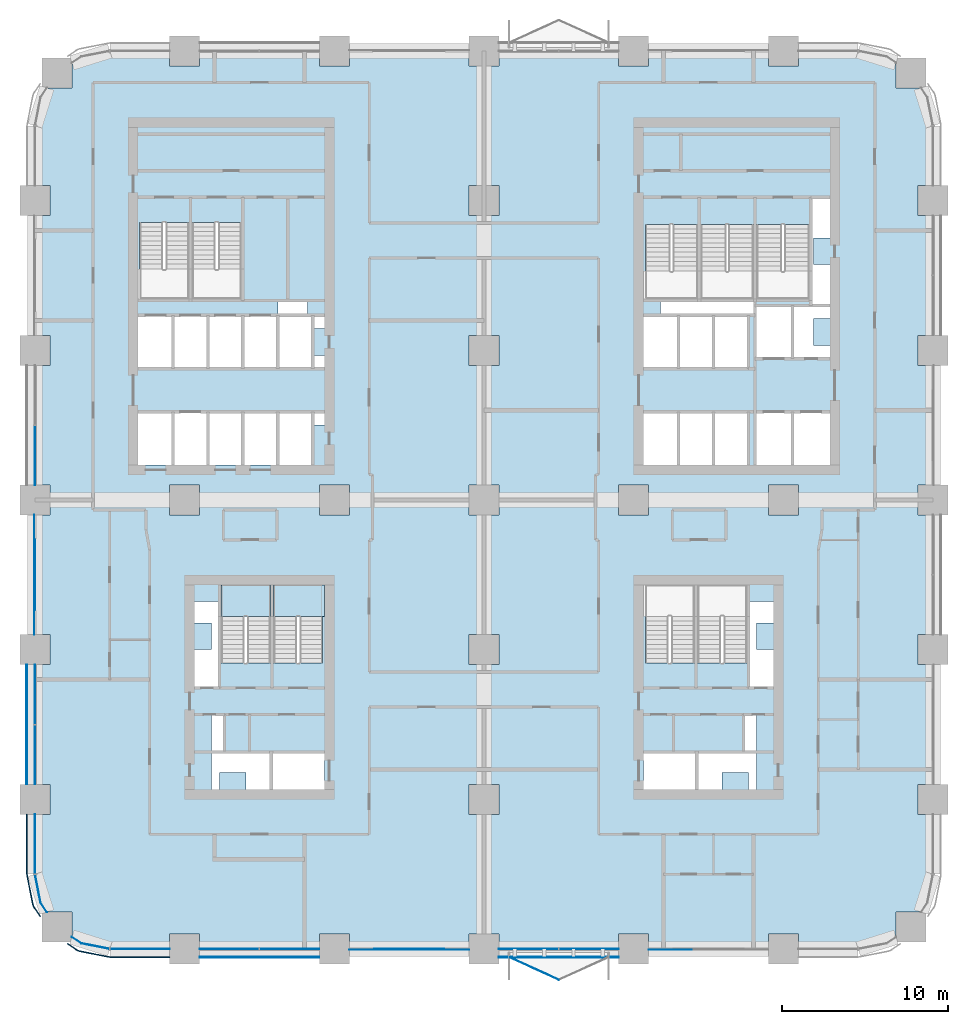
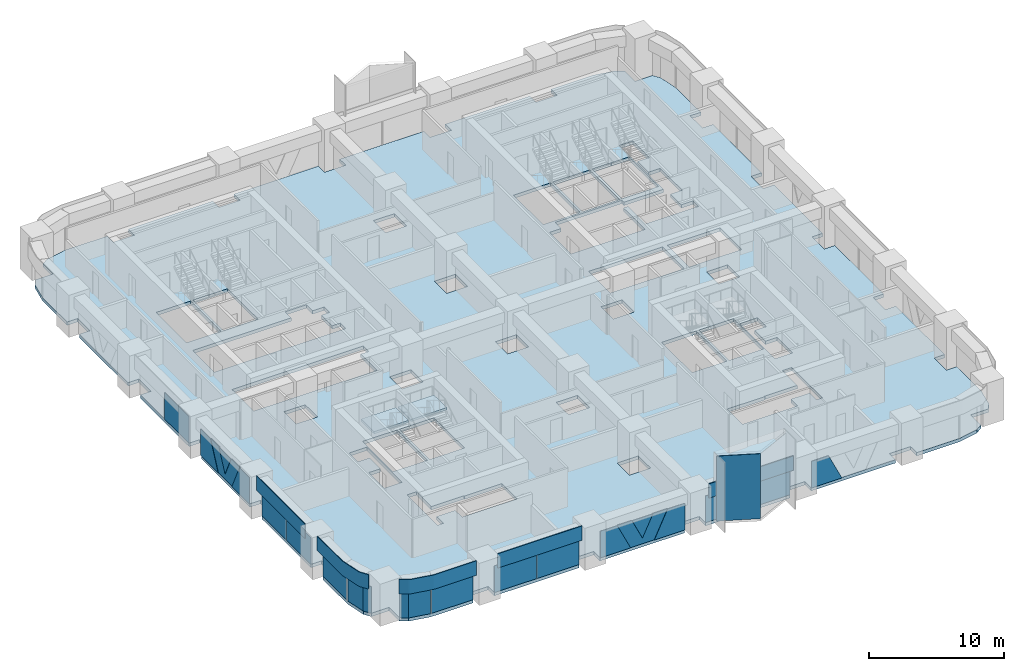
# One storey, part 10 of 22: 26 plates, 3 slabs, 11 elements without a shape of their own.
"""IFC4 building model written with IfcOpenShell, lengths in metres."""

from ifc_helpers import new_model, si_unit, direction, frame, origin, origin_2d, place, context, subcontext, project, spatial, polyline, rectangle, outline, extrude, material, layer, layer_set, type_object, element, aggregate, save


model = new_model("IFC4")

# Units and contexts
model_context = context("Model", 3, precision=1e-05, world=origin(), true_north=direction((0.0, 1.0)))
body_context = subcontext(model_context, "Body", "Model", "MODEL_VIEW")
ifc_project = project(units=[si_unit("LENGTHUNIT", "METRE"), si_unit("AREAUNIT", "SQUARE_METRE"), si_unit("VOLUMEUNIT", "CUBIC_METRE"), si_unit("PLANEANGLEUNIT", "RADIAN"), si_unit("MASSUNIT", "GRAM", prefix="KILO")], contexts=[model_context])

# Site, building, storey
site_placement = place(None, origin())
site = spatial("IfcSite", under=ifc_project, at=site_placement, CompositionType="ELEMENT")
building_placement = place(site_placement, origin())
building = spatial("IfcBuilding", under=site, at=building_placement, Name="Tessera Arch", CompositionType="ELEMENT")
storey_placement = place(building_placement, frame((0.0, 0.0, 53.800048828125)))
storey = spatial("IfcBuildingStorey", under=building, at=storey_placement, Name="L11", CompositionType="ELEMENT", Elevation=53.800048828125)

# Curtain wall, plates
ifc_material_1 = material(Name="CW1 curtain wall")
curtain_wall_type_1 = type_object("IfcCurtainWallType", Name="CW1 curtain wall", PredefinedType="NOTDEFINED", material=ifc_material_1)
curtain_wall_1_placement = place(storey_placement, origin())
curtain_wall_1 = element("IfcCurtainWall", 1, at=curtain_wall_1_placement, inside=storey, type_object=curtain_wall_type_1, Name="CW1 curtain wall S0.0/0 L11", PredefinedType="NOTDEFINED")
ifc_material_2 = material(Name="Clear low-e glass", Category="glass")
ifc_material_3 = material(Name="Clear low-e glass", Category="glass")
ifc_layer_1 = layer(ifc_material_3, 0.028076171875)
ifc_layer_set_1 = layer_set([ifc_layer_1], Name="CW1 glass panel")
plate_type_1 = type_object("IfcPlateType", Name="CW1 glass panel", PredefinedType="CURTAIN_PANEL", material=ifc_layer_set_1)
plate_1_placement = place(storey_placement, frame((11.68505859375, 0.0, 0.0), z_axis=(0.0, 0.0, 1.0), x_axis=(1.0, 0.0, 0.0)))
plate_1 = element("IfcPlate", 2, at=plate_1_placement, type_object=plate_type_1, material=ifc_material_2, Name="CW1 glass panel S0.0/0 1.1.1", PredefinedType="CURTAIN_PANEL", context=body_context, shape_type="SweptSolid", body=[
    extrude(rectangle(XDim=3.570068359375, YDim=0.028076171875, at=origin_2d()), origin(), (0.0, 0.0, 1.0), 2.39990234375),
])
plate_2_placement = place(storey_placement, frame((15.31494140625, 0.0, 0.0), z_axis=(0.0, 0.0, 1.0), x_axis=(1.0, 0.0, 0.0)))
plate_2 = element("IfcPlate", 3, at=plate_2_placement, type_object=plate_type_1, material=ifc_material_2, Name="CW1 glass panel S0.0/0 1.2.1", PredefinedType="CURTAIN_PANEL", context=body_context, shape_type="SweptSolid", body=[
    extrude(rectangle(XDim=3.570068359375, YDim=0.028076171875, at=origin_2d()), origin(), (0.0, 0.0, 1.0), 2.39990234375),
])

curtain_wall_2_placement = place(storey_placement, origin())
curtain_wall_2 = element("IfcCurtainWall", 4, at=curtain_wall_2_placement, inside=storey, type_object=curtain_wall_type_1, Name="CW1 curtain wall S0.0/2 L11", PredefinedType="NOTDEFINED")
plate_3_placement = place(storey_placement, frame((29.68505859375, 0.0, 0.0), z_axis=(0.0, 0.0, 1.0), x_axis=(1.0, 0.0, 0.0)))
plate_3 = element("IfcPlate", 5, at=plate_3_placement, type_object=plate_type_1, material=ifc_material_2, Name="CW1 glass panel S0.0/2 1.1.1", PredefinedType="CURTAIN_PANEL", context=body_context, shape_type="SweptSolid", body=[
    extrude(rectangle(XDim=3.570068359375, YDim=0.028076171875, at=origin_2d()), origin(), (0.0, 0.0, 1.0), 2.39990234375),
])
plate_4_placement = place(storey_placement, frame((33.31494140625, 0.0, 0.0), z_axis=(0.0, 0.0, 1.0), x_axis=(1.0, 0.0, 0.0)))
plate_4 = element("IfcPlate", 6, at=plate_4_placement, type_object=plate_type_1, material=ifc_material_2, Name="CW1 glass panel S0.0/2 1.2.1", PredefinedType="CURTAIN_PANEL", context=body_context, shape_type="SweptSolid", body=[
    extrude(rectangle(XDim=3.570068359375, YDim=0.028076171875, at=origin_2d()), origin(), (0.0, 0.0, 1.0), 2.39990234375),
])

# Curtain wall, plate
curtain_wall_3_placement = place(storey_placement, origin())
curtain_wall_3 = element("IfcCurtainWall", 7, at=curtain_wall_3_placement, inside=storey, type_object=curtain_wall_type_1, Name="CW1 curtain wall W0.0/2 L11", PredefinedType="NOTDEFINED")
plate_5_placement = place(storey_placement, frame((0.0, 29.68505859375, 0.0), z_axis=(0.0, 0.0, 1.0), x_axis=(0.0, -1.0, 0.0)))
plate_5 = element("IfcPlate", 8, at=plate_5_placement, type_object=plate_type_1, material=ifc_material_2, Name="CW1 glass panel W0.0/2 1.2.1", PredefinedType="CURTAIN_PANEL", context=body_context, shape_type="SweptSolid", body=[
    extrude(rectangle(XDim=3.570068359375, YDim=0.028076171875, at=origin_2d()), origin(), (0.0, 0.0, 1.0), 2.39990234375),
])
aggregate(curtain_wall_3, [plate_5])

# Curtain wall, plates
curtain_wall_4_placement = place(storey_placement, origin())
curtain_wall_4 = element("IfcCurtainWall", 9, at=curtain_wall_4_placement, inside=storey, type_object=curtain_wall_type_1, Name="CW1 curtain wall W0.0/4 L11", PredefinedType="NOTDEFINED")
plate_6_placement = place(storey_placement, frame((0.0, 15.31494140625, 0.0), z_axis=(0.0, 0.0, 1.0), x_axis=(0.0, -1.0, 0.0)))
plate_6 = element("IfcPlate", 10, at=plate_6_placement, type_object=plate_type_1, material=ifc_material_2, Name="CW1 glass panel W0.0/4 1.1.1", PredefinedType="CURTAIN_PANEL", context=body_context, shape_type="SweptSolid", body=[
    extrude(rectangle(XDim=3.570068359375, YDim=0.028076171875, at=origin_2d()), origin(), (0.0, 0.0, 1.0), 2.39990234375),
])
plate_7_placement = place(storey_placement, frame((0.0, 11.68505859375, 0.0), z_axis=(0.0, 0.0, 1.0), x_axis=(0.0, -1.0, 0.0)))
plate_7 = element("IfcPlate", 11, at=plate_7_placement, type_object=plate_type_1, material=ifc_material_2, Name="CW1 glass panel W0.0/4 1.2.1", PredefinedType="CURTAIN_PANEL", context=body_context, shape_type="SweptSolid", body=[
    extrude(rectangle(XDim=3.570068359375, YDim=0.028076171875, at=origin_2d()), origin(), (0.0, 0.0, 1.0), 2.39990234375),
])

# Plate
ifc_material_4 = material(Name="Pale anodised aluminium panel", Category="aluminium")
ifc_layer_2 = layer(ifc_material_4, 0.06005859375)
ifc_layer_set_2 = layer_set([ifc_layer_2], Name="CW1 spandrel panel")
plate_type_2 = type_object("IfcPlateType", Name="CW1 spandrel panel", PredefinedType="CURTAIN_PANEL", material=ifc_layer_set_2)
plate_8_placement = place(storey_placement, frame((13.5, -0.47998046875, 2.5), z_axis=(0.0, 0.0, 1.0), x_axis=(1.0, 0.0, 0.0)))
plate_8 = element("IfcPlate", 12, at=plate_8_placement, type_object=plate_type_2, Name="CW1 spandrel panel S0.0/0", PredefinedType="CURTAIN_PANEL", context=body_context, shape_type="SweptSolid", body=[
    extrude(rectangle(XDim=7.199951171875, YDim=0.06005859375, at=origin_2d()), origin(), (0.0, 0.0, 1.0), 1.300048828125),
])

aggregate(curtain_wall_1, [plate_1, plate_2, plate_8])

plate_9_placement = place(storey_placement, frame((31.5, -0.47998046875, 2.5), z_axis=(0.0, 0.0, 1.0), x_axis=(1.0, 0.0, 0.0)))
plate_9 = element("IfcPlate", 13, at=plate_9_placement, type_object=plate_type_2, Name="CW1 spandrel panel S0.0/2", PredefinedType="CURTAIN_PANEL", context=body_context, shape_type="SweptSolid", body=[
    extrude(rectangle(XDim=7.199951171875, YDim=0.06005859375, at=origin_2d()), origin(), (0.0, 0.0, 1.0), 1.300048828125),
])

aggregate(curtain_wall_2, [plate_3, plate_4, plate_9])

plate_10_placement = place(storey_placement, frame((-0.47998046875, 13.5, 2.5), z_axis=(0.0, 0.0, 1.0), x_axis=(0.0, -1.0, 0.0)))
plate_10 = element("IfcPlate", 14, at=plate_10_placement, type_object=plate_type_2, Name="CW1 spandrel panel W0.0/4", PredefinedType="CURTAIN_PANEL", context=body_context, shape_type="SweptSolid", body=[
    extrude(rectangle(XDim=7.199951171875, YDim=0.06005859375, at=origin_2d()), origin(), (0.0, 0.0, 1.0), 1.300048828125),
])

aggregate(curtain_wall_4, [plate_6, plate_7, plate_10])

# Curtain wall, plates
ifc_material_5 = material(Name="CW2 curtain wall")
curtain_wall_type_2 = type_object("IfcCurtainWallType", Name="CW2 curtain wall", PredefinedType="NOTDEFINED", material=ifc_material_5)
curtain_wall_5_placement = place(storey_placement, origin())
curtain_wall_5 = element("IfcCurtainWall", 15, at=curtain_wall_5_placement, inside=storey, type_object=curtain_wall_type_2, Name="CW2 curtain wall W0.0/5 L11", PredefinedType="NOTDEFINED")
ifc_material_6 = material(Name="Clear low-e glass", Category="glass")
ifc_layer_3 = layer(ifc_material_6, 0.028076171875)
ifc_layer_set_3 = layer_set([ifc_layer_3], Name="CW2 glass panel")
plate_type_3 = type_object("IfcPlateType", Name="CW2 glass panel", PredefinedType="CURTAIN_PANEL", material=ifc_layer_set_3)
plate_11_placement = place(storey_placement, frame((0.0, 6.320068359375, 0.0), z_axis=(0.0, 0.0, 1.0), x_axis=(0.0, -1.0, 0.0)))
plate_11 = element("IfcPlate", 16, at=plate_11_placement, type_object=plate_type_3, material=ifc_material_2, Name="CW2 glass panel W0.0/5 1.1", PredefinedType="CURTAIN_PANEL", context=body_context, shape_type="SweptSolid", body=[
    extrude(rectangle(XDim=3.56005859375, YDim=0.028076171875, at=origin_2d()), origin(), (0.0, 0.0, 1.0), 2.39990234375),
])
plate_12_placement = place(storey_placement, origin())
plate_12 = element("IfcPlate", 17, at=plate_12_placement, type_object=plate_type_3, material=ifc_material_2, Name="CW2 curved glass panel W0.0/5 2.1", PredefinedType="CURTAIN_PANEL", context=body_context, shape_type="SweptSolid", body=[
    extrude(outline(polyline([(0.355712890625, 2.783447265625), (0.021484375, 4.46337890625), (-0.005859375, 4.4580078125), (0.329345703125, 2.7724609375), (0.705078125, 2.210205078125), (0.728271484375, 2.225830078125), (0.355712890625, 2.783447265625)])), origin(), (0.0, 0.0, 1.0), 2.39990234375),
])

curtain_wall_6_placement = place(storey_placement, origin())
curtain_wall_6 = element("IfcCurtainWall", 18, at=curtain_wall_6_placement, inside=storey, type_object=curtain_wall_type_2, Name="CW2 curtain wall S0.0/5 L11", PredefinedType="NOTDEFINED")
plate_13_placement = place(storey_placement, frame((6.320068359375, 0.0, 0.0), z_axis=(0.0, 0.0, 1.0), x_axis=(1.0, 0.0, 0.0)))
plate_13 = element("IfcPlate", 19, at=plate_13_placement, type_object=plate_type_3, material=ifc_material_2, Name="CW2 glass panel S0.0/5 1.1", PredefinedType="CURTAIN_PANEL", context=body_context, shape_type="SweptSolid", body=[
    extrude(rectangle(XDim=3.56005859375, YDim=0.028076171875, at=origin_2d()), origin(), (0.0, 0.0, 1.0), 2.39990234375),
])
plate_14_placement = place(storey_placement, origin())
plate_14 = element("IfcPlate", 20, at=plate_14_placement, type_object=plate_type_3, material=ifc_material_2, Name="CW2 curved glass panel S0.0/5 2.1", PredefinedType="CURTAIN_PANEL", context=body_context, shape_type="SweptSolid", body=[
    extrude(outline(polyline([(2.783447265625, 0.355712890625), (2.225830078125, 0.728271484375), (2.210205078125, 0.705078125), (2.7724609375, 0.329345703125), (4.4580078125, -0.005859375), (4.46337890625, 0.021484375), (2.783447265625, 0.355712890625)])), origin(), (0.0, 0.0, 1.0), 2.39990234375),
])

# Plate
ifc_material_7 = material(Name="Pale anodised aluminium panel", Category="aluminium")
ifc_layer_4 = layer(ifc_material_7, 0.06005859375)
ifc_layer_set_4 = layer_set([ifc_layer_4], Name="CW2 spandrel panel")
plate_type_4 = type_object("IfcPlateType", Name="CW2 spandrel panel", PredefinedType="CURTAIN_PANEL", material=ifc_layer_set_4)
plate_15_placement = place(storey_placement, frame((0.0, 0.0, 2.5)))
plate_15 = element("IfcPlate", 21, at=plate_15_placement, type_object=plate_type_4, Name="CW2 spandrel panel W0.0/5", PredefinedType="CURTAIN_PANEL", context=body_context, shape_type="SweptSolid", body=[
    extrude(outline(polyline([(-0.449951171875, 4.500732421875), (-0.449951171875, 8.10009765625), (-0.510009765625, 8.10009765625), (-0.510009765625, 4.499267578125), (-0.507568359375, 4.449951171875), (-0.500244140625, 4.401123046875), (-0.157470703125, 2.677734375), (-0.1455078125, 2.6298828125), (-0.128662109375, 2.582763671875), (-0.107177734375, 2.537353515625), (-0.08203125, 2.4951171875), (0.292724609375, 1.9345703125), (0.342529296875, 1.968017578125), (-0.03125, 2.52734375), (-0.05419921875, 2.565673828125), (-0.0732421875, 2.605712890625), (-0.088134765625, 2.647216796875), (-0.09912109375, 2.69091796875), (-0.441162109375, 4.411376953125), (-0.44775390625, 4.455810546875), (-0.449951171875, 4.500732421875)])), origin(), (0.0, 0.0, 1.0), 1.300048828125),
])

aggregate(curtain_wall_5, [plate_11, plate_12, plate_15])

plate_16_placement = place(storey_placement, frame((0.0, 0.0, 2.5)))
plate_16 = element("IfcPlate", 22, at=plate_16_placement, type_object=plate_type_4, Name="CW2 spandrel panel S0.0/5", PredefinedType="CURTAIN_PANEL", context=body_context, shape_type="SweptSolid", body=[
    extrude(outline(polyline([(2.52734375, -0.03125), (1.968017578125, 0.342529296875), (1.9345703125, 0.292724609375), (2.4951171875, -0.08203125), (2.537353515625, -0.107177734375), (2.582763671875, -0.128662109375), (2.6298828125, -0.1455078125), (2.677734375, -0.157470703125), (4.401123046875, -0.500244140625), (4.449951171875, -0.507568359375), (4.499267578125, -0.510009765625), (8.10009765625, -0.510009765625), (8.10009765625, -0.449951171875), (4.500732421875, -0.449951171875), (4.455810546875, -0.44775390625), (4.411376953125, -0.441162109375), (2.69091796875, -0.09912109375), (2.647216796875, -0.088134765625), (2.605712890625, -0.0732421875), (2.565673828125, -0.05419921875), (2.52734375, -0.03125)])), origin(), (0.0, 0.0, 1.0), 1.300048828125),
])

aggregate(curtain_wall_6, [plate_13, plate_14, plate_16])

# Curtain wall, plate
ifc_material_8 = material(Name="CW3 curtain wall")
curtain_wall_type_3 = type_object("IfcCurtainWallType", Name="CW3 curtain wall", PredefinedType="NOTDEFINED", material=ifc_material_8)
curtain_wall_7_placement = place(storey_placement, origin())
curtain_wall_7 = element("IfcCurtainWall", 23, at=curtain_wall_7_placement, inside=storey, type_object=curtain_wall_type_3, Name="CW3 curtain wall S0.0/1 L11", PredefinedType="NOTDEFINED")
ifc_material_9 = material(Name="Pale anodised aluminium panel", Category="aluminium")
ifc_layer_5 = layer(ifc_material_9, 0.06005859375)
ifc_layer_set_5 = layer_set([ifc_layer_5], Name="CW3 diagonal panel")
plate_type_5 = type_object("IfcPlateType", Name="CW3 diagonal panel", PredefinedType="CURTAIN_PANEL", material=ifc_layer_set_5)
plate_17_placement = place(storey_placement, frame((24.644287109375, -0.030029296875, 2.39990234375), z_axis=(0.0, -1.0, 0.0), x_axis=(-1.0, 0.0, 0.0)))
plate_17 = element("IfcPlate", 24, at=plate_17_placement, type_object=plate_type_5, Name="CW3 diagonal panel S0.0/1 1", PredefinedType="CURTAIN_PANEL", context=body_context, shape_type="SweptSolid", body=[
    extrude(outline(polyline([(0.0, 0.0), (1.257080078125, 0.0), (2.144287109375, 1.873046875), (3.031494140625, 0.0), (4.28857421875, 0.0), (3.15185546875, 2.39990234375), (1.13671875, 2.39990234375), (0.0, 0.0)])), origin(), (0.0, 0.0, -1.0), 0.06005859375),
])

curtain_wall_8_placement = place(storey_placement, origin())
curtain_wall_8 = element("IfcCurtainWall", 25, at=curtain_wall_8_placement, inside=storey, type_object=curtain_wall_type_3, Name="CW3 curtain wall W0.0/3 L11", PredefinedType="NOTDEFINED")
plate_18_placement = place(storey_placement, frame((-0.030029296875, 20.355712890625, 2.39990234375), z_axis=(-1.0, 0.0, 0.0), x_axis=(0.0, 1.0, 0.0)))
plate_18 = element("IfcPlate", 26, at=plate_18_placement, type_object=plate_type_5, Name="CW3 diagonal panel W0.0/3 1", PredefinedType="CURTAIN_PANEL", context=body_context, shape_type="SweptSolid", body=[
    extrude(outline(polyline([(0.0, 0.0), (1.257080078125, 0.0), (2.144287109375, 1.873046875), (3.031494140625, 0.0), (4.28857421875, 0.0), (3.15185546875, 2.39990234375), (1.13671875, 2.39990234375), (0.0, 0.0)])), origin(), (0.0, 0.0, -1.0), 0.06005859375),
])

# Plate
ifc_material_10 = material(Name="Clear low-e glass", Category="glass")
ifc_layer_6 = layer(ifc_material_10, 0.028076171875)
ifc_layer_set_6 = layer_set([ifc_layer_6], Name="CW3 glass panel")
plate_type_6 = type_object("IfcPlateType", Name="CW3 glass panel", PredefinedType="CURTAIN_PANEL", material=ifc_layer_set_6)
plate_19_placement = place(storey_placement, frame((18.89990234375, -0.05810546875, 0.0), z_axis=(0.0, -1.0, 0.0), x_axis=(1.0, 0.0, 0.0)))
plate_19 = element("IfcPlate", 27, at=plate_19_placement, type_object=plate_type_6, material=ifc_material_2, Name="CW3 triangulated glass panel S0.0/1 1", PredefinedType="CURTAIN_PANEL", context=body_context, shape_type="SweptSolid", body=[
    extrude(outline(polyline([(0.0, 0.0), (2.592529296875, 0.0), (1.455810546875, 2.39990234375), (0.0, 2.39990234375), (0.0, 0.0)])), origin(), (0.0, 0.0, -1.0), 0.028076171875),
])

plate_20_placement = place(storey_placement, frame((23.38720703125, -0.05810546875, 2.39990234375), z_axis=(0.0, -1.0, 0.0), x_axis=(-1.0, 0.0, 0.0)))
plate_20 = element("IfcPlate", 28, at=plate_20_placement, type_object=plate_type_6, material=ifc_material_2, Name="CW3 triangulated glass panel S0.0/1 2", PredefinedType="CURTAIN_PANEL", context=body_context, shape_type="SweptSolid", body=[
    extrude(outline(polyline([(0.0, 0.0), (1.7744140625, 0.0), (0.88720703125, 1.873046875), (0.0, 0.0)])), origin(), (0.0, 0.0, -1.0), 0.028076171875),
])

plate_21_placement = place(storey_placement, frame((26.10009765625, -0.05810546875, 2.39990234375), z_axis=(0.0, -1.0, 0.0), x_axis=(-1.0, 0.0, 0.0)))
plate_21 = element("IfcPlate", 29, at=plate_21_placement, type_object=plate_type_6, material=ifc_material_2, Name="CW3 triangulated glass panel S0.0/1 3", PredefinedType="CURTAIN_PANEL", context=body_context, shape_type="SweptSolid", body=[
    extrude(outline(polyline([(0.0, 0.0), (1.455810546875, 0.0), (2.592529296875, 2.39990234375), (0.0, 2.39990234375), (0.0, 0.0)])), origin(), (0.0, 0.0, -1.0), 0.028076171875),
])

aggregate(curtain_wall_7, [plate_19, plate_20, plate_21, plate_17])

# Curtain wall, plate
curtain_wall_9_placement = place(storey_placement, origin())
curtain_wall_9 = element("IfcCurtainWall", 30, at=curtain_wall_9_placement, inside=storey, type_object=curtain_wall_type_3, Name="CW3 curtain wall S0.0/3 L11", PredefinedType="NOTDEFINED")
plate_22_placement = place(storey_placement, frame((36.89990234375, -0.05810546875, 0.0), z_axis=(0.0, -1.0, 0.0), x_axis=(1.0, 0.0, 0.0)))
plate_22 = element("IfcPlate", 31, at=plate_22_placement, type_object=plate_type_6, material=ifc_material_2, Name="CW3 triangulated glass panel S0.0/3 1", PredefinedType="CURTAIN_PANEL", context=body_context, shape_type="SweptSolid", body=[
    extrude(outline(polyline([(0.0, 0.0), (2.592529296875, 0.0), (1.455810546875, 2.39990234375), (0.0, 2.39990234375), (0.0, 0.0)])), origin(), (0.0, 0.0, -1.0), 0.028076171875),
])
aggregate(curtain_wall_9, [plate_22])

# Plate
plate_23_placement = place(storey_placement, frame((-0.05810546875, 26.10009765625, 0.0), z_axis=(-1.0, 0.0, 0.0), x_axis=(0.0, -1.0, 0.0)))
plate_23 = element("IfcPlate", 32, at=plate_23_placement, type_object=plate_type_6, material=ifc_material_2, Name="CW3 triangulated glass panel W0.0/3 1", PredefinedType="CURTAIN_PANEL", context=body_context, shape_type="SweptSolid", body=[
    extrude(outline(polyline([(0.0, 0.0), (2.592529296875, 0.0), (1.455810546875, 2.39990234375), (0.0, 2.39990234375), (0.0, 0.0)])), origin(), (0.0, 0.0, -1.0), 0.028076171875),
])

plate_24_placement = place(storey_placement, frame((-0.05810546875, 21.61279296875, 2.39990234375), z_axis=(-1.0, 0.0, 0.0), x_axis=(0.0, 1.0, 0.0)))
plate_24 = element("IfcPlate", 33, at=plate_24_placement, type_object=plate_type_6, material=ifc_material_2, Name="CW3 triangulated glass panel W0.0/3 2", PredefinedType="CURTAIN_PANEL", context=body_context, shape_type="SweptSolid", body=[
    extrude(outline(polyline([(0.0, 0.0), (1.7744140625, 0.0), (0.88720703125, 1.873046875), (0.0, 0.0)])), origin(), (0.0, 0.0, -1.0), 0.028076171875),
])

plate_25_placement = place(storey_placement, frame((-0.05810546875, 18.89990234375, 2.39990234375), z_axis=(-1.0, 0.0, 0.0), x_axis=(0.0, 1.0, 0.0)))
plate_25 = element("IfcPlate", 34, at=plate_25_placement, type_object=plate_type_6, material=ifc_material_2, Name="CW3 triangulated glass panel W0.0/3 3", PredefinedType="CURTAIN_PANEL", context=body_context, shape_type="SweptSolid", body=[
    extrude(outline(polyline([(0.0, 0.0), (1.455810546875, 0.0), (2.592529296875, 2.39990234375), (0.0, 2.39990234375), (0.0, 0.0)])), origin(), (0.0, 0.0, -1.0), 0.028076171875),
])

aggregate(curtain_wall_8, [plate_23, plate_24, plate_25, plate_18])

# Slab
ifc_material_11 = material(Name="Concrete C40/50", Category="concrete")
ifc_layer_7 = layer(ifc_material_11, 0.300048828125)
ifc_layer_set_7 = layer_set([ifc_layer_7], Name="Floor slab 300 Concrete C40/50")
slab_type_1 = type_object("IfcSlabType", Name="Floor slab 300 Concrete C40/50", PredefinedType="FLOOR", material=ifc_layer_set_7)
slab_1_placement = place(storey_placement, frame((0.0, 0.0, -0.300048828125)))
element("IfcSlab", 35, at=slab_1_placement, inside=storey, type_object=slab_type_1, Name="Floor slab L11 1", PredefinedType="FLOOR", context=body_context, shape_type="SweptSolid", body=[
    extrude(outline(polyline([(4.5, 0.0), (2.77783203125, 0.342529296875), (2.218017578125, 0.716552734375), (2.218017578125, 2.218017578125), (0.716552734375, 2.218017578125), (0.342529296875, 2.77783203125), (0.0, 4.5), (0.0, 8.10009765625), (0.89990234375, 8.10009765625), (0.89990234375, 9.89990234375), (0.0, 9.89990234375), (0.0, 17.10009765625), (0.89990234375, 17.10009765625), (0.89990234375, 18.89990234375), (0.0, 18.89990234375), (0.0, 26.10009765625), (0.89990234375, 26.10009765625), (0.89990234375, 27.89990234375), (0.0, 27.89990234375), (0.0, 35.10009765625), (0.89990234375, 35.10009765625), (0.89990234375, 36.89990234375), (0.0, 36.89990234375), (0.0, 44.10009765625), (0.89990234375, 44.10009765625), (0.89990234375, 45.89990234375), (0.0, 45.89990234375), (0.0, 49.5), (0.342529296875, 51.22216796875), (0.716552734375, 51.781982421875), (2.218017578125, 51.781982421875), (2.218017578125, 53.283447265625), (2.77783203125, 53.657470703125), (4.5, 54.0), (8.10009765625, 54.0), (8.10009765625, 53.10009765625), (9.89990234375, 53.10009765625), (9.89990234375, 54.0), (17.10009765625, 54.0), (17.10009765625, 53.10009765625), (18.89990234375, 53.10009765625), (18.89990234375, 54.0), (26.10009765625, 54.0), (26.10009765625, 53.10009765625), (27.89990234375, 53.10009765625), (27.89990234375, 54.0), (35.10009765625, 54.0), (35.10009765625, 53.10009765625), (36.89990234375, 53.10009765625), (36.89990234375, 54.0), (44.10009765625, 54.0), (44.10009765625, 53.10009765625), (45.89990234375, 53.10009765625), (45.89990234375, 54.0), (49.5, 54.0), (51.22216796875, 53.657470703125), (51.781982421875, 53.283447265625), (51.781982421875, 51.781982421875), (53.283447265625, 51.781982421875), (53.657470703125, 51.22216796875), (54.0, 49.5), (54.0, 45.89990234375), (53.10009765625, 45.89990234375), (53.10009765625, 44.10009765625), (54.0, 44.10009765625), (54.0, 36.89990234375), (53.10009765625, 36.89990234375), (53.10009765625, 35.10009765625), (54.0, 35.10009765625), (54.0, 27.89990234375), (53.10009765625, 27.89990234375), (53.10009765625, 26.10009765625), (54.0, 26.10009765625), (54.0, 18.89990234375), (53.10009765625, 18.89990234375), (53.10009765625, 17.10009765625), (54.0, 17.10009765625), (54.0, 9.89990234375), (53.10009765625, 9.89990234375), (53.10009765625, 8.10009765625), (54.0, 8.10009765625), (54.0, 4.5), (53.657470703125, 2.77783203125), (53.283447265625, 2.218017578125), (51.781982421875, 2.218017578125), (51.781982421875, 0.716552734375), (51.22216796875, 0.342529296875), (49.5, 0.0), (45.89990234375, 0.0), (45.89990234375, 0.89990234375), (44.10009765625, 0.89990234375), (44.10009765625, 0.0), (36.89990234375, 0.0), (36.89990234375, 0.89990234375), (35.10009765625, 0.89990234375), (35.10009765625, 0.0), (27.89990234375, 0.0), (27.89990234375, 0.89990234375), (26.10009765625, 0.89990234375), (26.10009765625, 0.0), (18.89990234375, 0.0), (18.89990234375, 0.89990234375), (17.10009765625, 0.89990234375), (17.10009765625, 0.0), (9.89990234375, 0.0), (9.89990234375, 0.89990234375), (8.10009765625, 0.89990234375), (8.10009765625, 0.0), (4.5, 0.0)]), holes=[polyline([(11.10009765625, 9.60009765625), (11.10009765625, 10.60009765625), (12.699951171875, 10.60009765625), (12.699951171875, 9.60009765625), (14.199951171875, 9.60009765625), (17.39990234375, 9.60009765625), (17.39990234375, 11.85009765625), (14.199951171875, 11.85009765625), (14.199951171875, 11.89990234375), (11.39990234375, 11.89990234375), (11.39990234375, 14.10009765625), (10.60009765625, 14.10009765625), (10.60009765625, 11.89990234375), (10.60009765625, 9.60009765625), (11.10009765625, 9.60009765625)]), polyline([(9.60009765625, 19.60009765625), (10.60009765625, 19.60009765625), (10.60009765625, 18.0), (9.60009765625, 18.0), (9.60009765625, 15.699951171875), (11.10009765625, 15.699951171875), (11.10009765625, 20.89990234375), (9.60009765625, 20.89990234375), (9.60009765625, 19.60009765625)]), polyline([(12.60009765625, 17.2099609375), (12.60009765625, 17.199951171875), (12.75, 17.199951171875), (12.75, 17.2099609375), (14.14990234375, 17.2099609375), (14.14990234375, 21.699951171875), (11.199951171875, 21.699951171875), (11.199951171875, 17.2099609375), (12.60009765625, 17.2099609375)]), polyline([(8.10009765625, 26.10009765625), (9.89990234375, 26.10009765625), (9.89990234375, 27.89990234375), (8.10009765625, 27.89990234375), (8.10009765625, 26.10009765625)]), polyline([(12.5, 29.10009765625), (14.60009765625, 29.10009765625), (16.699951171875, 29.10009765625), (16.699951171875, 31.5), (17.39990234375, 31.5), (17.39990234375, 32.300048828125), (16.699951171875, 32.300048828125), (14.60009765625, 32.300048828125), (12.5, 32.300048828125), (10.39990234375, 32.300048828125), (8.300048828125, 32.300048828125), (6.199951171875, 32.300048828125), (6.199951171875, 29.10009765625), (8.300048828125, 29.10009765625), (10.39990234375, 29.10009765625), (12.5, 29.10009765625)]), polyline([(10.39990234375, 38.10009765625), (8.300048828125, 38.10009765625), (6.199951171875, 38.10009765625), (6.199951171875, 34.89990234375), (8.300048828125, 34.89990234375), (10.39990234375, 34.89990234375), (12.5, 34.89990234375), (14.60009765625, 34.89990234375), (16.699951171875, 34.89990234375), (17.39990234375, 34.89990234375), (17.39990234375, 35.699951171875), (16.699951171875, 35.699951171875), (16.699951171875, 37.300048828125), (17.39990234375, 37.300048828125), (17.39990234375, 38.10009765625), (16.699951171875, 38.10009765625), (16.39990234375, 38.10009765625), (16.39990234375, 39.0), (14.60009765625, 39.0), (14.60009765625, 38.10009765625), (12.5, 38.10009765625), (10.39990234375, 38.10009765625)]), polyline([(11.0, 43.699951171875), (10.85009765625, 43.699951171875), (10.85009765625, 43.68994140625), (9.449951171875, 43.68994140625), (9.449951171875, 39.199951171875), (12.39990234375, 39.199951171875), (12.39990234375, 43.68994140625), (11.0, 43.68994140625), (11.0, 43.699951171875)]), polyline([(7.85009765625, 43.699951171875), (7.699951171875, 43.699951171875), (7.699951171875, 43.68994140625), (6.300048828125, 43.68994140625), (6.300048828125, 39.199951171875), (9.25, 39.199951171875), (9.25, 43.68994140625), (7.85009765625, 43.68994140625), (7.85009765625, 43.699951171875)]), polyline([(26.10009765625, 8.10009765625), (27.89990234375, 8.10009765625), (27.89990234375, 9.89990234375), (26.10009765625, 9.89990234375), (26.10009765625, 8.10009765625)]), polyline([(39.800048828125, 9.60009765625), (41.300048828125, 9.60009765625), (41.300048828125, 10.60009765625), (42.89990234375, 10.60009765625), (42.89990234375, 9.60009765625), (43.39990234375, 9.60009765625), (43.39990234375, 11.89990234375), (43.39990234375, 14.10009765625), (42.60009765625, 14.10009765625), (42.60009765625, 11.89990234375), (39.800048828125, 11.89990234375), (39.800048828125, 11.85009765625), (36.60009765625, 11.85009765625), (36.60009765625, 9.60009765625), (39.800048828125, 9.60009765625)]), polyline([(26.10009765625, 18.89990234375), (26.10009765625, 17.10009765625), (27.89990234375, 17.10009765625), (27.89990234375, 18.89990234375), (26.10009765625, 18.89990234375)]), polyline([(15.75, 17.199951171875), (15.89990234375, 17.199951171875), (15.89990234375, 17.2099609375), (17.300048828125, 17.2099609375), (17.300048828125, 21.699951171875), (14.35009765625, 21.699951171875), (14.35009765625, 17.2099609375), (15.75, 17.2099609375), (15.75, 17.199951171875)]), polyline([(38.10009765625, 17.199951171875), (38.25, 17.199951171875), (38.25, 17.2099609375), (39.64990234375, 17.2099609375), (39.64990234375, 21.699951171875), (36.699951171875, 21.699951171875), (36.699951171875, 17.2099609375), (38.10009765625, 17.2099609375), (38.10009765625, 17.199951171875)]), polyline([(17.10009765625, 26.10009765625), (18.89990234375, 26.10009765625), (18.89990234375, 27.89990234375), (17.10009765625, 27.89990234375), (17.10009765625, 26.10009765625)]), polyline([(26.10009765625, 27.89990234375), (26.10009765625, 26.10009765625), (27.89990234375, 26.10009765625), (27.89990234375, 27.89990234375), (26.10009765625, 27.89990234375)]), polyline([(35.10009765625, 27.89990234375), (35.10009765625, 26.10009765625), (36.89990234375, 26.10009765625), (36.89990234375, 27.89990234375), (35.10009765625, 27.89990234375)]), polyline([(36.60009765625, 32.300048828125), (36.60009765625, 29.10009765625), (38.699951171875, 29.10009765625), (40.800048828125, 29.10009765625), (42.89990234375, 29.10009765625), (42.89990234375, 32.300048828125), (40.800048828125, 32.300048828125), (38.699951171875, 32.300048828125), (36.60009765625, 32.300048828125)]), polyline([(26.10009765625, 35.10009765625), (27.89990234375, 35.10009765625), (27.89990234375, 36.89990234375), (26.10009765625, 36.89990234375), (26.10009765625, 35.10009765625)]), polyline([(38.699951171875, 34.89990234375), (40.800048828125, 34.89990234375), (42.89990234375, 34.89990234375), (42.89990234375, 38.10009765625), (43.300048828125, 38.10009765625), (43.300048828125, 35.5), (45.550048828125, 35.5), (47.800048828125, 35.5), (47.800048828125, 36.300048828125), (46.800048828125, 36.300048828125), (46.800048828125, 37.89990234375), (47.800048828125, 37.89990234375), (47.800048828125, 38.699951171875), (47.800048828125, 41.14990234375), (46.800048828125, 41.14990234375), (46.800048828125, 42.75), (47.800048828125, 42.75), (47.800048828125, 45.199951171875), (46.64990234375, 45.199951171875), (46.64990234375, 38.699951171875), (45.550048828125, 38.699951171875), (43.300048828125, 38.699951171875), (43.300048828125, 39.0), (37.60009765625, 39.0), (37.60009765625, 38.10009765625), (36.60009765625, 38.10009765625), (36.60009765625, 34.89990234375), (38.699951171875, 34.89990234375)]), polyline([(38.330078125, 43.580078125), (38.219970703125, 43.580078125), (38.219970703125, 43.570068359375), (36.699951171875, 43.570068359375), (36.699951171875, 39.199951171875), (39.85009765625, 39.199951171875), (39.85009765625, 43.570068359375), (38.330078125, 43.570068359375), (38.330078125, 43.580078125)]), polyline([(26.10009765625, 44.10009765625), (27.89990234375, 44.10009765625), (27.89990234375, 45.89990234375), (26.10009765625, 45.89990234375), (26.10009765625, 44.10009765625)]), polyline([(42.89990234375, 15.699951171875), (44.39990234375, 15.699951171875), (44.39990234375, 18.0), (43.39990234375, 18.0), (43.39990234375, 19.60009765625), (44.39990234375, 19.60009765625), (44.39990234375, 20.89990234375), (42.89990234375, 20.89990234375), (42.89990234375, 15.699951171875)]), polyline([(41.25, 17.199951171875), (41.39990234375, 17.199951171875), (41.39990234375, 17.2099609375), (42.800048828125, 17.2099609375), (42.800048828125, 21.699951171875), (39.85009765625, 21.699951171875), (39.85009765625, 17.2099609375), (41.25, 17.2099609375), (41.25, 17.199951171875)]), polyline([(44.10009765625, 26.10009765625), (45.89990234375, 26.10009765625), (45.89990234375, 27.89990234375), (44.10009765625, 27.89990234375), (44.10009765625, 26.10009765625)]), polyline([(45.550048828125, 29.10009765625), (47.800048828125, 29.10009765625), (47.800048828125, 32.300048828125), (45.550048828125, 32.300048828125), (43.300048828125, 32.300048828125), (43.300048828125, 29.10009765625), (45.550048828125, 29.10009765625)]), polyline([(45.030029296875, 43.570068359375), (45.030029296875, 43.580078125), (44.919921875, 43.580078125), (44.919921875, 43.570068359375), (43.39990234375, 43.570068359375), (43.39990234375, 39.199951171875), (46.550048828125, 39.199951171875), (46.550048828125, 43.570068359375), (45.030029296875, 43.570068359375)]), polyline([(41.679931640625, 43.580078125), (41.570068359375, 43.580078125), (41.570068359375, 43.570068359375), (40.050048828125, 43.570068359375), (40.050048828125, 39.199951171875), (43.199951171875, 39.199951171875), (43.199951171875, 43.570068359375), (41.679931640625, 43.570068359375), (41.679931640625, 43.580078125)])]), origin(), (0.0, 0.0, 1.0), 0.300048828125),
])

# Stair, slab
ifc_material_12 = material(Name="Concrete C40/50", Category="concrete")
stair_type = type_object("IfcStairType", Name="Dogleg stair 1400", PredefinedType="HALF_TURN_STAIR", material=ifc_material_12)
stair_1_placement = place(storey_placement, origin())
stair_1 = element("IfcStair", 36, at=stair_1_placement, inside=storey, type_object=stair_type, Name="L11 S4a", PredefinedType="HALF_TURN_STAIR")
ifc_material_13 = material(Name="Concrete C40/50", Category="concrete")
ifc_layer_8 = layer(ifc_material_13, 0.300048828125)
ifc_layer_set_8 = layer_set([ifc_layer_8], Name="Stair landing 300")
slab_type_2 = type_object("IfcSlabType", Name="Stair landing 300", PredefinedType="LANDING", material=ifc_layer_set_8)
slab_2_placement = place(storey_placement, frame((0.0, 0.0, 1.699951171875)))
slab_2 = element("IfcSlab", 37, at=slab_2_placement, type_object=slab_type_2, Name="S4a landing 1", PredefinedType="LANDING", context=body_context, shape_type="SweptSolid", body=[
    extrude(outline(polyline([(17.39990234375, 20.0), (17.39990234375, 21.89990234375), (14.35009765625, 21.89990234375), (14.35009765625, 20.0), (17.39990234375, 20.0)])), origin(), (0.0, 0.0, 1.0), 0.199951171875),
])
aggregate(stair_1, [slab_2])

stair_2_placement = place(storey_placement, origin())
stair_2 = element("IfcStair", 38, at=stair_2_placement, inside=storey, type_object=stair_type, Name="L11 S4b", PredefinedType="HALF_TURN_STAIR")
slab_3_placement = place(storey_placement, frame((0.0, 0.0, 1.699951171875)))
slab_3 = element("IfcSlab", 39, at=slab_3_placement, type_object=slab_type_2, Name="S4b landing 1", PredefinedType="LANDING", context=body_context, shape_type="SweptSolid", body=[
    extrude(outline(polyline([(14.14990234375, 20.0), (14.14990234375, 21.89990234375), (11.199951171875, 21.89990234375), (11.199951171875, 20.0), (14.14990234375, 20.0)])), origin(), (0.0, 0.0, 1.0), 0.199951171875),
])
aggregate(stair_2, [slab_3])

# Plate
ifc_material_14 = material(Name="Clear low-e glass", Category="glass")
ifc_layer_9 = layer(ifc_material_14, 0.028076171875)
ifc_layer_set_9 = layer_set([ifc_layer_9], Name="Window box glass facet")
plate_type_7 = type_object("IfcPlateType", Name="Window box glass facet", PredefinedType="SHEET", material=ifc_layer_set_9)
plate_26_placement = place(storey_placement, frame((30.02490234375, -1.179931640625, 0.2197265625), z_axis=(0.0, 0.0, 1.0), x_axis=(0.910472144558, -0.413570397858, 0.0)))
element("IfcPlate", 40, at=plate_26_placement, inside=storey, type_object=plate_type_7, Name="Window box S0.0/2.0 2x2 glass", PredefinedType="SHEET", context=body_context, shape_type="SweptSolid", body=[
    extrude(rectangle(XDim=3.239990234375, YDim=0.028076171875, at=origin_2d()), origin(), (0.0, 0.0, 1.0), 5.860107421875),
])

save(model, "model.ifc")
